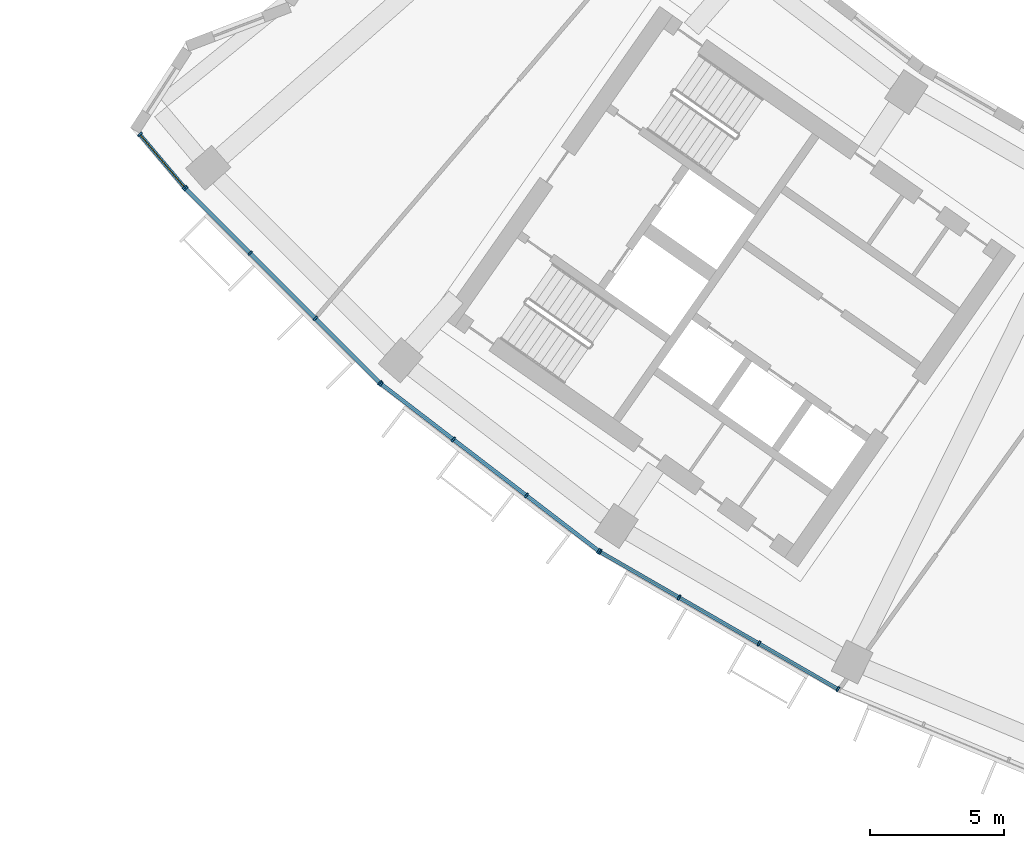
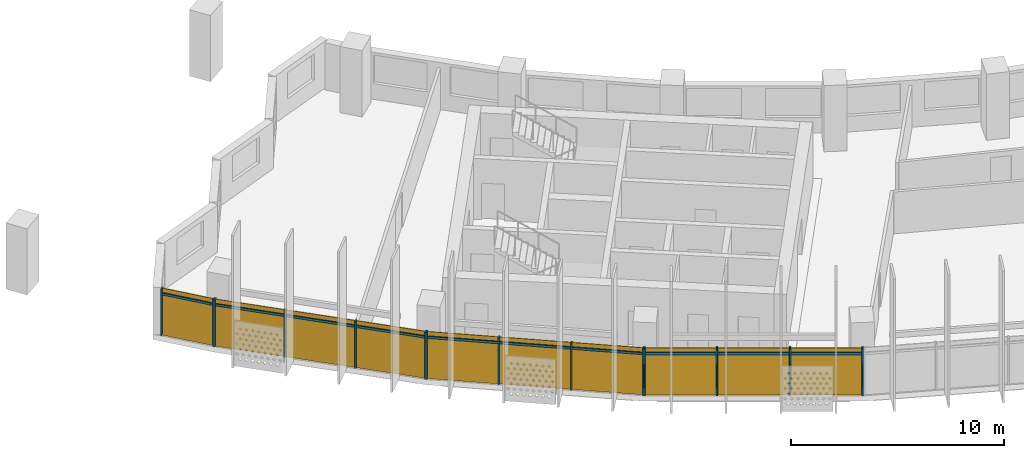
# One storey, part 19 of 27: 24 members, 4 curtain walls.
"""IFC4 building model written with IfcOpenShell, lengths in metres."""

from ifc_helpers import new_model, si_unit, direction, frame, origin, origin_2d, place, context, subcontext, project, spatial, rectangle, extrude, material, material_profile, profile_set, type_object, element, aggregate, save


model = new_model("IFC4")

# Units and contexts
model_context = context("Model", 3, precision=1e-05, world=origin(), true_north=direction((0.0, 1.0)))
body_context = subcontext(model_context, "Body", "Model", "MODEL_VIEW")
ifc_project = project(units=[si_unit("LENGTHUNIT", "METRE"), si_unit("AREAUNIT", "SQUARE_METRE"), si_unit("VOLUMEUNIT", "CUBIC_METRE"), si_unit("PLANEANGLEUNIT", "RADIAN"), si_unit("MASSUNIT", "GRAM", prefix="KILO")], contexts=[model_context])

# Member
ifc_material = material(Name="Aluminium 6063-T6 anodised", Category="aluminium")
ifc_material_profile_1 = material_profile(ifc_material, rectangle(XDim=0.199951171875, YDim=0.070068359375, at=origin_2d()))
ifc_profile_set_1 = profile_set([ifc_material_profile_1], Name="Aluminium 6063-T6 anodised")
member_type_1 = type_object("IfcMemberType", Name="Mullion 70 x 200 aluminium", PredefinedType="MULLION", material=ifc_profile_set_1)
site_placement = place(None, origin())
building_placement = place(site_placement, origin())
storey_placement = place(building_placement, frame((0.0, 0.0, 179.699951171875)))
member_1_placement = place(storey_placement, frame((-61.013427734375, -50.0146484375, 0.0), z_axis=(0.0, 0.0, 1.0), x_axis=(0.764421471614, 0.644716847721, 0.0)))
member_1 = element("IfcMember", 1, at=member_1_placement, type_object=member_type_1, Name="e-cw1-L42-out00/M00", PredefinedType="MULLION", context=body_context, shape_type="SweptSolid", body=[
    extrude(rectangle(XDim=0.199951171875, YDim=0.070068359375, at=origin_2d()), origin(), (0.0, 0.0, 1.0), 2.699951171875),
])

member_2_placement = place(storey_placement, frame((-59.341552734375, -51.9970703125, 0.0), z_axis=(0.0, 0.0, 1.0), x_axis=(0.764421471614, 0.644716847721, 0.0)))
member_2 = element("IfcMember", 2, at=member_2_placement, type_object=member_type_1, Name="e-cw1-L42-out00/M01", PredefinedType="MULLION", context=body_context, shape_type="SweptSolid", body=[
    extrude(rectangle(XDim=0.199951171875, YDim=0.070068359375, at=origin_2d()), origin(), (0.0, 0.0, 1.0), 2.699951171875),
])

member_3_placement = place(storey_placement, frame((-59.2998046875, -52.042236328125, 0.0), z_axis=(0.0, 0.0, 1.0), x_axis=(0.707106781187, 0.707106781187, 0.0)))
member_3 = element("IfcMember", 3, at=member_3_placement, type_object=member_type_1, Name="e-cw1-L42-out01/M00", PredefinedType="MULLION", context=body_context, shape_type="SweptSolid", body=[
    extrude(rectangle(XDim=0.199951171875, YDim=0.070068359375, at=origin_2d()), origin(), (0.0, 0.0, 1.0), 2.699951171875),
])

member_4_placement = place(storey_placement, frame((-56.888916015625, -54.453369140625, 0.0), z_axis=(0.0, 0.0, 1.0), x_axis=(0.707106781187, 0.707106781187, 0.0)))
member_4 = element("IfcMember", 4, at=member_4_placement, type_object=member_type_1, Name="e-cw1-L42-out01/M01", PredefinedType="MULLION", context=body_context, shape_type="SweptSolid", body=[
    extrude(rectangle(XDim=0.199951171875, YDim=0.070068359375, at=origin_2d()), origin(), (0.0, 0.0, 1.0), 2.699951171875),
])

member_5_placement = place(storey_placement, frame((-54.453369140625, -56.888916015625, 0.0), z_axis=(0.0, 0.0, 1.0), x_axis=(0.707106781187, 0.707106781187, 0.0)))
member_5 = element("IfcMember", 5, at=member_5_placement, type_object=member_type_1, Name="e-cw1-L42-out01/M02", PredefinedType="MULLION", context=body_context, shape_type="SweptSolid", body=[
    extrude(rectangle(XDim=0.199951171875, YDim=0.070068359375, at=origin_2d()), origin(), (0.0, 0.0, 1.0), 2.699951171875),
])

member_6_placement = place(storey_placement, frame((-52.042236328125, -59.2998046875, 0.0), z_axis=(0.0, 0.0, 1.0), x_axis=(0.707106781187, 0.707106781187, 0.0)))
member_6 = element("IfcMember", 6, at=member_6_placement, type_object=member_type_1, Name="e-cw1-L42-out01/M03", PredefinedType="MULLION", context=body_context, shape_type="SweptSolid", body=[
    extrude(rectangle(XDim=0.199951171875, YDim=0.070068359375, at=origin_2d()), origin(), (0.0, 0.0, 1.0), 2.699951171875),
])

member_7_placement = place(storey_placement, frame((-51.999755859375, -59.33740234375, 0.0), z_axis=(0.0, 0.0, 1.0), x_axis=(0.608761429009, 0.793353340291, 0.0)))
member_7 = element("IfcMember", 7, at=member_7_placement, type_object=member_type_1, Name="e-cw1-L42-out02/M00", PredefinedType="MULLION", context=body_context, shape_type="SweptSolid", body=[
    extrude(rectangle(XDim=0.199951171875, YDim=0.070068359375, at=origin_2d()), origin(), (0.0, 0.0, 1.0), 2.699951171875),
])

member_8_placement = place(storey_placement, frame((-49.294677734375, -61.412841796875, 0.0), z_axis=(0.0, 0.0, 1.0), x_axis=(0.608761429009, 0.793353340291, 0.0)))
member_8 = element("IfcMember", 8, at=member_8_placement, type_object=member_type_1, Name="e-cw1-L42-out02/M01", PredefinedType="MULLION", context=body_context, shape_type="SweptSolid", body=[
    extrude(rectangle(XDim=0.199951171875, YDim=0.070068359375, at=origin_2d()), origin(), (0.0, 0.0, 1.0), 2.699951171875),
])

member_9_placement = place(storey_placement, frame((-46.56201171875, -63.509765625, 0.0), z_axis=(0.0, 0.0, 1.0), x_axis=(0.608761429009, 0.793353340291, 0.0)))
member_9 = element("IfcMember", 9, at=member_9_placement, type_object=member_type_1, Name="e-cw1-L42-out02/M02", PredefinedType="MULLION", context=body_context, shape_type="SweptSolid", body=[
    extrude(rectangle(XDim=0.199951171875, YDim=0.070068359375, at=origin_2d()), origin(), (0.0, 0.0, 1.0), 2.699951171875),
])

member_10_placement = place(storey_placement, frame((-43.85693359375, -65.58544921875, 0.0), z_axis=(0.0, 0.0, 1.0), x_axis=(0.608761429009, 0.793353340291, 0.0)))
member_10 = element("IfcMember", 10, at=member_10_placement, type_object=member_type_1, Name="e-cw1-L42-out02/M03", PredefinedType="MULLION", context=body_context, shape_type="SweptSolid", body=[
    extrude(rectangle(XDim=0.199951171875, YDim=0.070068359375, at=origin_2d()), origin(), (0.0, 0.0, 1.0), 2.699951171875),
])

member_11_placement = place(storey_placement, frame((-43.809814453125, -65.616943359375, 0.0), z_axis=(0.0, 0.0, 1.0), x_axis=(0.5, 0.866025403784, 0.0)))
member_11 = element("IfcMember", 11, at=member_11_placement, type_object=member_type_1, Name="e-cw1-L42-out03/M00", PredefinedType="MULLION", context=body_context, shape_type="SweptSolid", body=[
    extrude(rectangle(XDim=0.199951171875, YDim=0.070068359375, at=origin_2d()), origin(), (0.0, 0.0, 1.0), 2.699951171875),
])

member_12_placement = place(storey_placement, frame((-40.85693359375, -67.32177734375, 0.0), z_axis=(0.0, 0.0, 1.0), x_axis=(0.5, 0.866025403784, 0.0)))
member_12 = element("IfcMember", 12, at=member_12_placement, type_object=member_type_1, Name="e-cw1-L42-out03/M01", PredefinedType="MULLION", context=body_context, shape_type="SweptSolid", body=[
    extrude(rectangle(XDim=0.199951171875, YDim=0.070068359375, at=origin_2d()), origin(), (0.0, 0.0, 1.0), 2.699951171875),
])

member_13_placement = place(storey_placement, frame((-37.873779296875, -69.0439453125, 0.0), z_axis=(0.0, 0.0, 1.0), x_axis=(0.5, 0.866025403784, 0.0)))
member_13 = element("IfcMember", 13, at=member_13_placement, type_object=member_type_1, Name="e-cw1-L42-out03/M02", PredefinedType="MULLION", context=body_context, shape_type="SweptSolid", body=[
    extrude(rectangle(XDim=0.199951171875, YDim=0.070068359375, at=origin_2d()), origin(), (0.0, 0.0, 1.0), 2.699951171875),
])

member_14_placement = place(storey_placement, frame((-34.921142578125, -70.748779296875, 0.0), z_axis=(0.0, 0.0, 1.0), x_axis=(0.5, 0.866025403784, 0.0)))
member_14 = element("IfcMember", 14, at=member_14_placement, type_object=member_type_1, Name="e-cw1-L42-out03/M03", PredefinedType="MULLION", context=body_context, shape_type="SweptSolid", body=[
    extrude(rectangle(XDim=0.199951171875, YDim=0.070068359375, at=origin_2d()), origin(), (0.0, 0.0, 1.0), 2.699951171875),
])

ifc_material_profile_2 = material_profile(ifc_material, rectangle(XDim=0.139892578125, YDim=0.1201171875, at=origin_2d()))
ifc_profile_set_2 = profile_set([ifc_material_profile_2], Name="Aluminium 6063-T6 anodised")
member_type_2 = type_object("IfcMemberType", Name="Transom 120 x 140 aluminium", PredefinedType="USERDEFINED", material=ifc_profile_set_2)
member_15_placement = place(storey_placement, frame((-60.990966796875, -50.041259765625, 2.400146484375), z_axis=(0.644683728573, -0.764449403239, 0.0), x_axis=(0.764449403239, 0.644683728573, 0.0)))
member_15 = element("IfcMember", 15, at=member_15_placement, type_object=member_type_2, Name="e-cw1-L42-out00/T00", ObjectType="TRANSOM", PredefinedType="USERDEFINED", context=body_context, shape_type="SweptSolid", body=[
    extrude(rectangle(XDim=0.139892578125, YDim=0.1201171875, at=origin_2d()), origin(), (0.0, 0.0, 1.0), 2.523681640625),
])

member_16_placement = place(storey_placement, frame((-59.275146484375, -52.067138671875, 2.400146484375), z_axis=(0.707106781187, -0.707106781187, 0.0), x_axis=(0.707106781187, 0.707106781187, 0.0)))
member_16 = element("IfcMember", 16, at=member_16_placement, type_object=member_type_2, Name="e-cw1-L42-out01/T00", ObjectType="TRANSOM", PredefinedType="USERDEFINED", context=body_context, shape_type="SweptSolid", body=[
    extrude(rectangle(XDim=0.139892578125, YDim=0.1201171875, at=origin_2d()), origin(), (0.0, 0.0, 1.0), 3.33935546875),
])

member_17_placement = place(storey_placement, frame((-56.8642578125, -54.47802734375, 2.400146484375), z_axis=(0.707106781187, -0.707106781187, 0.0), x_axis=(0.707106781187, 0.707106781187, 0.0)))
member_17 = element("IfcMember", 17, at=member_17_placement, type_object=member_type_2, Name="e-cw1-L42-out01/T01", ObjectType="TRANSOM", PredefinedType="USERDEFINED", context=body_context, shape_type="SweptSolid", body=[
    extrude(rectangle(XDim=0.139892578125, YDim=0.1201171875, at=origin_2d()), origin(), (0.0, 0.0, 1.0), 3.374755859375),
])

member_18_placement = place(storey_placement, frame((-54.428466796875, -56.913818359375, 2.400146484375), z_axis=(0.707106781187, -0.707106781187, 0.0), x_axis=(0.707106781187, 0.707106781187, 0.0)))
member_18 = element("IfcMember", 18, at=member_18_placement, type_object=member_type_2, Name="e-cw1-L42-out01/T02", ObjectType="TRANSOM", PredefinedType="USERDEFINED", context=body_context, shape_type="SweptSolid", body=[
    extrude(rectangle(XDim=0.139892578125, YDim=0.1201171875, at=origin_2d()), origin(), (0.0, 0.0, 1.0), 3.33935546875),
])

member_19_placement = place(storey_placement, frame((-51.971923828125, -59.358642578125, 2.400146484375), z_axis=(0.793354486861, -0.608759934767, 0.0), x_axis=(0.608759934767, 0.793354486861, 0.0)))
member_19 = element("IfcMember", 19, at=member_19_placement, type_object=member_type_2, Name="e-cw1-L42-out02/T00", ObjectType="TRANSOM", PredefinedType="USERDEFINED", context=body_context, shape_type="SweptSolid", body=[
    extrude(rectangle(XDim=0.139892578125, YDim=0.1201171875, at=origin_2d()), origin(), (0.0, 0.0, 1.0), 3.339599609375),
])

member_20_placement = place(storey_placement, frame((-49.266845703125, -61.434326171875, 2.400146484375), z_axis=(0.793371081522, -0.608738307489, 0.0), x_axis=(0.608738307489, 0.793371081522, 0.0)))
member_20 = element("IfcMember", 20, at=member_20_placement, type_object=member_type_2, Name="e-cw1-L42-out02/T01", ObjectType="TRANSOM", PredefinedType="USERDEFINED", context=body_context, shape_type="SweptSolid", body=[
    extrude(rectangle(XDim=0.139892578125, YDim=0.1201171875, at=origin_2d()), origin(), (0.0, 0.0, 1.0), 3.37451171875),
])

member_21_placement = place(storey_placement, frame((-46.5341796875, -63.53125, 2.400146484375), z_axis=(0.793354486861, -0.608759934767, 0.0), x_axis=(0.608759934767, 0.793354486861, 0.0)))
member_21 = element("IfcMember", 21, at=member_21_placement, type_object=member_type_2, Name="e-cw1-L42-out02/T02", ObjectType="TRANSOM", PredefinedType="USERDEFINED", context=body_context, shape_type="SweptSolid", body=[
    extrude(rectangle(XDim=0.139892578125, YDim=0.1201171875, at=origin_2d()), origin(), (0.0, 0.0, 1.0), 3.339599609375),
])

member_22_placement = place(storey_placement, frame((-43.779541015625, -65.634521484375, 2.400146484375), z_axis=(0.866052898888, -0.49995237406, 0.0), x_axis=(0.49995237406, 0.866052898888, 0.0)))
member_22 = element("IfcMember", 22, at=member_22_placement, type_object=member_type_2, Name="e-cw1-L42-out03/T00", ObjectType="TRANSOM", PredefinedType="USERDEFINED", context=body_context, shape_type="SweptSolid", body=[
    extrude(rectangle(XDim=0.139892578125, YDim=0.1201171875, at=origin_2d()), origin(), (0.0, 0.0, 1.0), 3.339599609375),
])

member_23_placement = place(storey_placement, frame((-40.82666015625, -67.33935546875, 2.400146484375), z_axis=(0.86602172966, -0.500006363716, 0.0), x_axis=(0.500006363716, 0.86602172966, 0.0)))
member_23 = element("IfcMember", 23, at=member_23_placement, type_object=member_type_2, Name="e-cw1-L42-out03/T01", ObjectType="TRANSOM", PredefinedType="USERDEFINED", context=body_context, shape_type="SweptSolid", body=[
    extrude(rectangle(XDim=0.139892578125, YDim=0.1201171875, at=origin_2d()), origin(), (0.0, 0.0, 1.0), 3.37451171875),
])

member_24_placement = place(storey_placement, frame((-37.843505859375, -69.0615234375, 2.400146484375), z_axis=(0.866002968352, -0.500038857296, 0.0), x_axis=(0.500038857296, 0.866002968352, 0.0)))
member_24 = element("IfcMember", 24, at=member_24_placement, type_object=member_type_2, Name="e-cw1-L42-out03/T02", ObjectType="TRANSOM", PredefinedType="USERDEFINED", context=body_context, shape_type="SweptSolid", body=[
    extrude(rectangle(XDim=0.139892578125, YDim=0.1201171875, at=origin_2d()), origin(), (0.0, 0.0, 1.0), 3.339599609375),
])

# Site, building, storey
site = spatial("IfcSite", under=ifc_project, at=site_placement, CompositionType="ELEMENT")
building = spatial("IfcBuilding", under=site, at=building_placement, Name="Qamariyya Broadcast Tower", CompositionType="ELEMENT")
storey = spatial("IfcBuildingStorey", under=building, at=storey_placement, Name="L42", CompositionType="ELEMENT", Elevation=179.699951171875)

# Curtain wall
curtain_wall_type = type_object("IfcCurtainWallType", Name="Unitised curtain wall, anodised aluminium", PredefinedType="NOTDEFINED", material=ifc_material)
curtain_wall_1_placement = place(storey_placement, origin())
curtain_wall_1 = element("IfcCurtainWall", 25, at=curtain_wall_1_placement, inside=storey, type_object=curtain_wall_type, Name="e-cw1-L42-out00", PredefinedType="NOTDEFINED", context=body_context, shape_type="SweptSolid", body=[
    extrude(rectangle(XDim=2.523681640625, YDim=0.031982421875, at=origin_2d()), frame((-60.177490234375, -51.005859375, 0.0), x_axis=(0.644716996352, -0.764421346258, 0.0)), (0.0, 0.0, 1.0), 2.340087890625),
    extrude(rectangle(XDim=2.523681640625, YDim=0.031982421875, at=origin_2d()), frame((-60.177490234375, -51.005859375, 2.4599609375), x_axis=(0.644716996352, -0.764421346258, 0.0)), (0.0, 0.0, 1.0), 0.239990234375),
])

aggregate(curtain_wall_1, [member_1, member_2, member_15])

curtain_wall_2_placement = place(storey_placement, origin())
curtain_wall_2 = element("IfcCurtainWall", 26, at=curtain_wall_2_placement, inside=storey, type_object=curtain_wall_type, Name="e-cw1-L42-out01", PredefinedType="NOTDEFINED", context=body_context, shape_type="SweptSolid", body=[
    extrude(rectangle(XDim=3.339599609375, YDim=0.031982421875, at=origin_2d()), frame((-58.094482421875, -53.247802734375, 0.0), x_axis=(0.707106781187, -0.707106781187, 0.0)), (0.0, 0.0, 1.0), 2.340087890625),
    extrude(rectangle(XDim=3.339599609375, YDim=0.031982421875, at=origin_2d()), frame((-58.094482421875, -53.247802734375, 2.4599609375), x_axis=(0.707106781187, -0.707106781187, 0.0)), (0.0, 0.0, 1.0), 0.239990234375),
    extrude(rectangle(XDim=3.37451171875, YDim=0.031982421875, at=origin_2d()), frame((-55.671142578125, -55.671142578125, 0.0), x_axis=(0.707106781187, -0.707106781187, 0.0)), (0.0, 0.0, 1.0), 2.340087890625),
    extrude(rectangle(XDim=3.37451171875, YDim=0.031982421875, at=origin_2d()), frame((-55.671142578125, -55.671142578125, 2.4599609375), x_axis=(0.707106781187, -0.707106781187, 0.0)), (0.0, 0.0, 1.0), 0.239990234375),
    extrude(rectangle(XDim=3.339599609375, YDim=0.031982421875, at=origin_2d()), frame((-53.247802734375, -58.094482421875, 0.0), x_axis=(0.707106781187, -0.707106781187, 0.0)), (0.0, 0.0, 1.0), 2.340087890625),
    extrude(rectangle(XDim=3.339599609375, YDim=0.031982421875, at=origin_2d()), frame((-53.247802734375, -58.094482421875, 2.4599609375), x_axis=(0.707106781187, -0.707106781187, 0.0)), (0.0, 0.0, 1.0), 0.239990234375),
])

aggregate(curtain_wall_2, [member_3, member_4, member_5, member_6, member_16, member_17, member_18])

curtain_wall_3_placement = place(storey_placement, origin())
curtain_wall_3 = element("IfcCurtainWall", 27, at=curtain_wall_3_placement, inside=storey, type_object=curtain_wall_type, Name="e-cw1-L42-out02", PredefinedType="NOTDEFINED", context=body_context, shape_type="SweptSolid", body=[
    extrude(rectangle(XDim=3.339599609375, YDim=0.031982421875, at=origin_2d()), frame((-50.64697265625, -60.375, 0.0), x_axis=(0.793351517557, -0.608763804434, 0.0)), (0.0, 0.0, 1.0), 2.340087890625),
    extrude(rectangle(XDim=3.339599609375, YDim=0.031982421875, at=origin_2d()), frame((-50.64697265625, -60.375, 2.4599609375), x_axis=(0.793351517557, -0.608763804434, 0.0)), (0.0, 0.0, 1.0), 0.239990234375),
    extrude(rectangle(XDim=3.37451171875, YDim=0.031982421875, at=origin_2d()), frame((-47.92822265625, -62.46142578125, 0.0), x_axis=(0.793351517557, -0.608763804434, 0.0)), (0.0, 0.0, 1.0), 2.340087890625),
    extrude(rectangle(XDim=3.37451171875, YDim=0.031982421875, at=origin_2d()), frame((-47.92822265625, -62.46142578125, 2.4599609375), x_axis=(0.793351517557, -0.608763804434, 0.0)), (0.0, 0.0, 1.0), 0.239990234375),
    extrude(rectangle(XDim=3.339599609375, YDim=0.031982421875, at=origin_2d()), frame((-45.20947265625, -64.547607421875, 0.0), x_axis=(0.793351517557, -0.608763804434, 0.0)), (0.0, 0.0, 1.0), 2.340087890625),
    extrude(rectangle(XDim=3.339599609375, YDim=0.031982421875, at=origin_2d()), frame((-45.20947265625, -64.547607421875, 2.4599609375), x_axis=(0.793351517557, -0.608763804434, 0.0)), (0.0, 0.0, 1.0), 0.239990234375),
])

aggregate(curtain_wall_3, [member_7, member_8, member_9, member_10, member_19, member_20, member_21])

curtain_wall_4_placement = place(storey_placement, origin())
curtain_wall_4 = element("IfcCurtainWall", 28, at=curtain_wall_4_placement, inside=storey, type_object=curtain_wall_type, Name="e-cw1-L42-out03", PredefinedType="NOTDEFINED", context=body_context, shape_type="SweptSolid", body=[
    extrude(rectangle(XDim=3.339599609375, YDim=0.031982421875, at=origin_2d()), frame((-42.33349609375, -66.469482421875, 0.0), x_axis=(0.866028999376, -0.499993772201, 0.0)), (0.0, 0.0, 1.0), 2.340087890625),
    extrude(rectangle(XDim=3.339599609375, YDim=0.031982421875, at=origin_2d()), frame((-42.33349609375, -66.469482421875, 2.4599609375), x_axis=(0.866028999376, -0.499993772201, 0.0)), (0.0, 0.0, 1.0), 0.239990234375),
    extrude(rectangle(XDim=3.37451171875, YDim=0.031982421875, at=origin_2d()), frame((-39.365478515625, -68.18310546875, 0.0), x_axis=(0.866028999376, -0.499993772201, 0.0)), (0.0, 0.0, 1.0), 2.340087890625),
    extrude(rectangle(XDim=3.37451171875, YDim=0.031982421875, at=origin_2d()), frame((-39.365478515625, -68.18310546875, 2.4599609375), x_axis=(0.866028999376, -0.499993772201, 0.0)), (0.0, 0.0, 1.0), 0.239990234375),
    extrude(rectangle(XDim=3.339599609375, YDim=0.031982421875, at=origin_2d()), frame((-36.3974609375, -69.896484375, 0.0), x_axis=(0.866028999376, -0.499993772201, 0.0)), (0.0, 0.0, 1.0), 2.340087890625),
    extrude(rectangle(XDim=3.339599609375, YDim=0.031982421875, at=origin_2d()), frame((-36.3974609375, -69.896484375, 2.4599609375), x_axis=(0.866028999376, -0.499993772201, 0.0)), (0.0, 0.0, 1.0), 0.239990234375),
])

aggregate(curtain_wall_4, [member_11, member_12, member_13, member_14, member_22, member_23, member_24])

save(model, "model.ifc")
